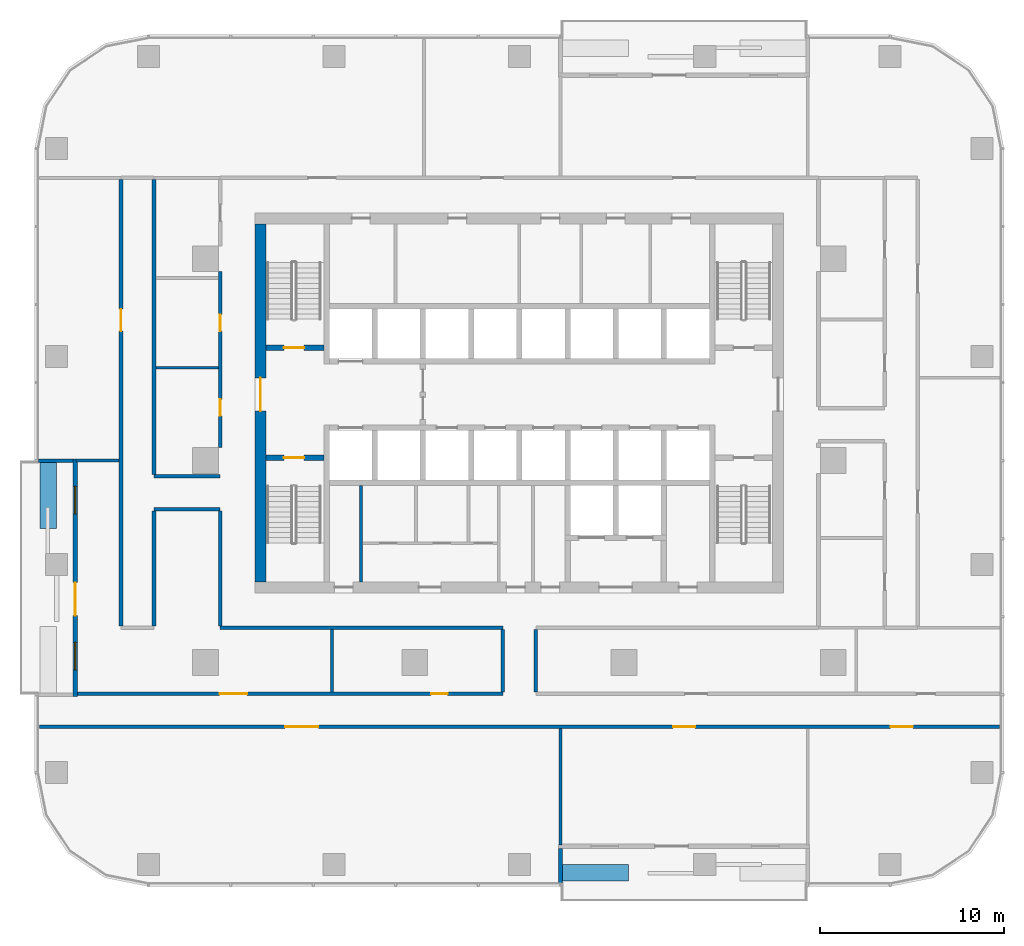
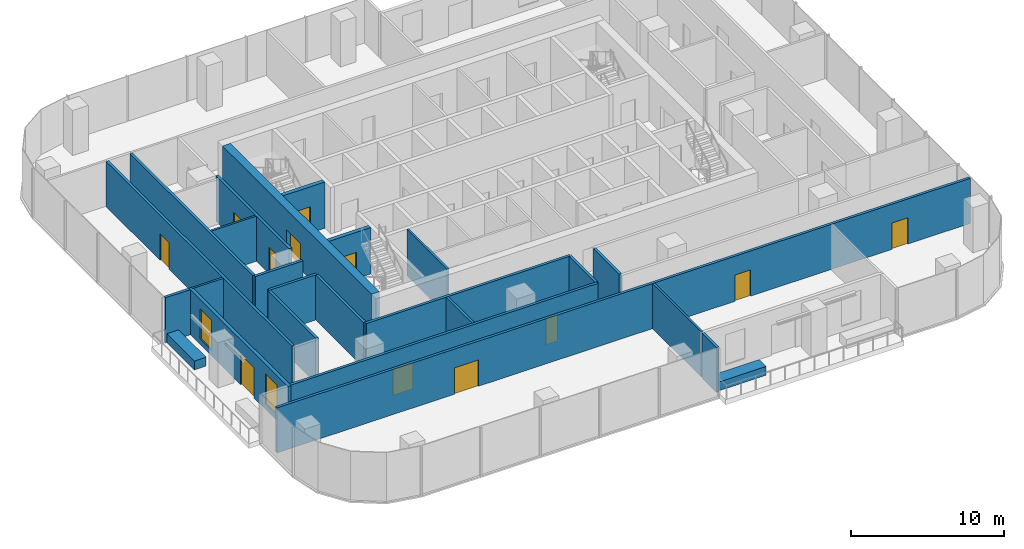
# One storey, part 7 of 14: 25 walls, 12 doors, 2 windows, 14 openings.
"""IFC4 building model written with IfcOpenShell, lengths in metres."""

from ifc_helpers import new_model, si_unit, direction, frame, frame_2d, origin, place, context, subcontext, project, spatial, rectangle, extrude, material, layer, layer_set, type_object, element, fill, save


model = new_model("IFC4")

# Units and contexts
model_context = context("Model", 3, precision=1e-05, world=origin(), true_north=direction((0.0, 1.0)))
body_context = subcontext(model_context, "Body", "Model", "MODEL_VIEW")
ifc_project = project(units=[si_unit("LENGTHUNIT", "METRE"), si_unit("AREAUNIT", "SQUARE_METRE"), si_unit("VOLUMEUNIT", "CUBIC_METRE"), si_unit("PLANEANGLEUNIT", "RADIAN"), si_unit("MASSUNIT", "GRAM", prefix="KILO")], contexts=[model_context])

# Site, building, storey
site_placement = place(None, origin())
site = spatial("IfcSite", under=ifc_project, at=site_placement, CompositionType="ELEMENT")
building_placement = place(site_placement, origin())
building = spatial("IfcBuilding", under=site, at=building_placement, Name="Mopane Tessera Tower", CompositionType="ELEMENT")
storey_placement = place(building_placement, frame((0.0, 0.0, 189.0)))
storey = spatial("IfcBuildingStorey", under=building, at=storey_placement, Name="L39", CompositionType="ELEMENT", Elevation=189.0)

# Wall
ifc_material_1 = material(Name="Fire-rated gypsum board partition")
ifc_layer_1 = layer(ifc_material_1, 0.14990234375)
ifc_layer_set_1 = layer_set([ifc_layer_1], Name="Fire-rated gypsum board partition")
wall_type_1 = type_object("IfcWallType", Name="Core room partition 150 mm", PredefinedType="PARTITIONING", material=ifc_layer_set_1)
wall_1_placement = place(storey_placement, frame((-8.625, -6.60009765625, 0.0), z_axis=(0.0, 0.0, 1.0), x_axis=(0.0, 1.0, 0.0)))
element("IfcWall", 1, at=wall_1_placement, inside=storey, type_object=wall_type_1, Name="L39 Room partition", PredefinedType="PARTITIONING", context=body_context, shape_type="SweptSolid", body=[
    extrude(rectangle(XDim=5.25, YDim=0.14990234375, at=frame_2d((2.625, 0.0))), origin(), (0.0, 0.0, 1.0), 3.699951171875),
])

# Wall, opening, door
ifc_material_2 = material(Name="Concrete C70/85", Category="concrete")
ifc_layer_2 = layer(ifc_material_2, 0.60009765625)
ifc_layer_set_2 = layer_set([ifc_layer_2], Name="Concrete C70/85")
wall_type_2 = type_object("IfcWallType", Name="Core shear wall 600 mm", PredefinedType="SHEAR", material=ifc_layer_set_2)
wall_2_placement = place(storey_placement, frame((-14.10009765625, -6.60009765625, 0.0), z_axis=(0.0, 0.0, 1.0), x_axis=(0.0, 1.0, 0.0)))
wall_2 = element("IfcWall", 2, at=wall_2_placement, inside=storey, type_object=wall_type_2, Name="L39 Core wall west", PredefinedType="SHEAR", context=body_context, shape_type="SweptSolid", body=[
    extrude(rectangle(XDim=19.5, YDim=0.60009765625, at=frame_2d((9.75, 0.0))), origin(), (0.0, 0.0, 1.0), 3.699951171875),
])
opening_1_placement = place(wall_2_placement, frame((9.300048828125, 0.0, 0.0)))
opening_1 = element("IfcOpeningElement", 3, at=opening_1_placement, cuts=wall_2, Name="Opening SD2", PredefinedType="OPENING", context=body_context, shape_type="SweptSolid", body=[
    extrude(rectangle(XDim=1.800048828125, YDim=2.10009765625, at=frame_2d((0.89990234375, 1.050048828125))), frame((0.0, 0.31201171875, 0.0), z_axis=(0.0, -1.0, 0.0), x_axis=(1.0, 0.0, 0.0)), (0.0, 0.0, 1.0), 0.6240234375),
])
ifc_material_3 = material(Name="Steel fire door", Category="steel")
door_type_1 = type_object("IfcDoorType", Name="Core entrance double door 1800 x 2100", OperationType="DOUBLE_DOOR_SINGLE_SWING", PredefinedType="DOOR", material=ifc_material_3)
door_1_placement = place(opening_1_placement, origin())
door_1 = element("IfcDoor", 4, at=door_1_placement, inside=storey, type_object=door_type_1, Name="L39 Core entrance door west", OperationType="DOUBLE_DOOR_SINGLE_SWING", OverallHeight=2.10009765625, OverallWidth=1.800048828125, PredefinedType="DOOR", context=body_context, shape_type="SweptSolid", body=[
    extrude(rectangle(XDim=1.800048828125, YDim=2.10009765625, at=frame_2d((0.89990234375, 1.050048828125))), frame((0.0, 0.02490234375, 0.0), z_axis=(0.0, -1.0, 0.0), x_axis=(1.0, 0.0, 0.0)), (0.0, 0.0, 1.0), 0.050048828125),
])
fill(opening_1, door_1)

# Wall
ifc_material_4 = material(Name="Gypsum board on staggered steel studs, double layer each face, acoustic mineral wool infill", Category="steel")
ifc_layer_3 = layer(ifc_material_4, 0.175048828125)
ifc_layer_set_3 = layer_set([ifc_layer_3], Name="Gypsum board on staggered steel studs, double layer each face, acoustic mineral wool infill")
wall_type_3 = type_object("IfcWallType", Name="Gypsum board acoustic partition 175, rated EI 60", PredefinedType="PARTITIONING", material=ifc_layer_set_3)
wall_3_placement = place(storey_placement, frame((-10.199951171875, -12.60009765625, 0.0), z_axis=(0.0, 0.0, 1.0), x_axis=(0.0, 1.0, 0.0)))
element("IfcWall", 5, at=wall_3_placement, inside=storey, type_object=wall_type_3, Name="Partition L39:031", PredefinedType="PARTITIONING", context=body_context, shape_type="SweptSolid", body=[
    extrude(rectangle(XDim=3.400146484375, YDim=0.175048828125, at=frame_2d((1.7001953125, 0.0))), origin(), (0.0, 0.0, 1.0), 3.60009765625),
])

# Wall, openings, doors
ifc_material_5 = material(Name="Gypsum board on steel studs, two layers each face, mineral wool infill", Category="steel")
ifc_layer_4 = layer(ifc_material_5, 0.199951171875)
ifc_layer_set_4 = layer_set([ifc_layer_4], Name="Gypsum board on steel studs, two layers each face, mineral wool infill")
wall_type_4 = type_object("IfcWallType", Name="Gypsum board corridor wall 200, rated EI 60", PredefinedType="PARTITIONING", material=ifc_layer_set_4)
wall_4_placement = place(storey_placement, frame((-26.14990234375, -14.5, 0.0), z_axis=(0.0, 0.0, 1.0), x_axis=(1.0, 0.0, 0.0)))
wall_4 = element("IfcWall", 6, at=wall_4_placement, inside=storey, type_object=wall_type_4, Name="Partition L39:000", PredefinedType="PARTITIONING", context=body_context, shape_type="SweptSolid", body=[
    extrude(rectangle(XDim=52.2998046875, YDim=0.199951171875, at=frame_2d((26.14990234375, 0.0))), origin(), (0.0, 0.0, 1.0), 3.60009765625),
])
opening_2_placement = place(wall_4_placement, frame((34.527587890625, 0.0, 0.0)))
opening_2 = element("IfcOpeningElement", 7, at=opening_2_placement, cuts=wall_4, Name="Opening L39-12", PredefinedType="OPENING", context=body_context, shape_type="SweptSolid", body=[
    extrude(rectangle(XDim=1.199951171875, YDim=2.10009765625, at=frame_2d((0.60009765625, 1.050048828125))), frame((0.0, 0.112060546875, 0.0), z_axis=(0.0, -1.0, 0.0), x_axis=(1.0, 0.0, 0.0)), (0.0, 0.0, 1.0), 0.223876953125),
])
opening_3_placement = place(wall_4_placement, frame((13.3974609375, 0.0, 0.0)))
opening_3 = element("IfcOpeningElement", 8, at=opening_3_placement, cuts=wall_4, Name="Opening L39-14", PredefinedType="OPENING", context=body_context, shape_type="SweptSolid", body=[
    extrude(rectangle(XDim=1.800048828125, YDim=2.10009765625, at=frame_2d((0.89990234375, 1.050048828125))), frame((0.0, 0.112060546875, 0.0), z_axis=(0.0, -1.0, 0.0), x_axis=(1.0, 0.0, 0.0)), (0.0, 0.0, 1.0), 0.223876953125),
])
opening_4_placement = place(wall_4_placement, frame((46.3798828125, 0.0, 0.0)))
opening_4 = element("IfcOpeningElement", 9, at=opening_4_placement, cuts=wall_4, Name="Opening L39-15", PredefinedType="OPENING", context=body_context, shape_type="SweptSolid", body=[
    extrude(rectangle(XDim=1.199951171875, YDim=2.10009765625, at=frame_2d((0.60009765625, 1.050048828125))), frame((0.0, 0.112060546875, 0.0), z_axis=(0.0, -1.0, 0.0), x_axis=(1.0, 0.0, 0.0)), (0.0, 0.0, 1.0), 0.223876953125),
])
ifc_material_6 = material(Name="Timber veneered steel-framed fire door", Category="steel")
door_type_2 = type_object("IfcDoorType", Name="Fire door FD60 1200 x 2100", OperationType="SINGLE_SWING_LEFT", PredefinedType="DOOR", material=ifc_material_6)
door_2_placement = place(opening_2_placement, origin())
door_2 = element("IfcDoor", 10, at=door_2_placement, inside=storey, type_object=door_type_2, Name="Door L39-12", ObjectType="D15A", OperationType="SINGLE_SWING_RIGHT", OverallHeight=2.10009765625, OverallWidth=1.199951171875, PredefinedType="DOOR", context=body_context, shape_type="SweptSolid", body=[
    extrude(rectangle(XDim=1.199951171875, YDim=2.10009765625, at=frame_2d((0.60009765625, 1.050048828125))), frame((0.0, 0.02490234375, 0.0), z_axis=(0.0, -1.0, 0.0), x_axis=(1.0, 0.0, 0.0)), (0.0, 0.0, 1.0), 0.050048828125),
])
fill(opening_2, door_2)
door_3_placement = place(opening_4_placement, origin())
door_3 = element("IfcDoor", 11, at=door_3_placement, inside=storey, type_object=door_type_2, Name="Door L39-15", ObjectType="D15A", OperationType="SINGLE_SWING_LEFT", OverallHeight=2.10009765625, OverallWidth=1.199951171875, PredefinedType="DOOR", context=body_context, shape_type="SweptSolid", body=[
    extrude(rectangle(XDim=1.199951171875, YDim=2.10009765625, at=frame_2d((0.60009765625, 1.050048828125))), frame((0.0, 0.02490234375, 0.0), z_axis=(0.0, -1.0, 0.0), x_axis=(1.0, 0.0, 0.0)), (0.0, 0.0, 1.0), 0.050048828125),
])
fill(opening_4, door_3)
ifc_material_7 = material(Name="Timber veneered steel-framed fire door", Category="steel")
door_type_3 = type_object("IfcDoorType", Name="Fire door pair FD60 1800 x 2100", OperationType="DOUBLE_DOOR_SINGLE_SWING", PredefinedType="DOOR", material=ifc_material_7)
door_4_placement = place(opening_3_placement, origin())
door_4 = element("IfcDoor", 12, at=door_4_placement, inside=storey, type_object=door_type_3, Name="Door L39-14", ObjectType="D20A", OperationType="DOUBLE_DOOR_SINGLE_SWING", OverallHeight=2.10009765625, OverallWidth=1.800048828125, PredefinedType="DOOR", context=body_context, shape_type="SweptSolid", body=[
    extrude(rectangle(XDim=1.800048828125, YDim=2.10009765625, at=frame_2d((0.89990234375, 1.050048828125))), frame((0.0, 0.02490234375, 0.0), z_axis=(0.0, -1.0, 0.0), x_axis=(1.0, 0.0, 0.0)), (0.0, 0.0, 1.0), 0.050048828125),
])
fill(opening_3, door_4)

wall_5_placement = place(storey_placement, frame((-24.14990234375, -12.699951171875, 0.0), z_axis=(0.0, 0.0, 1.0), x_axis=(1.0, 0.0, 0.0)))
wall_5 = element("IfcWall", 13, at=wall_5_placement, inside=storey, type_object=wall_type_4, Name="Partition L39:001", PredefinedType="PARTITIONING", context=body_context, shape_type="SweptSolid", body=[
    extrude(rectangle(XDim=23.25, YDim=0.199951171875, at=frame_2d((11.625, 0.0))), origin(), (0.0, 0.0, 1.0), 3.60009765625),
])
opening_5_placement = place(wall_5_placement, frame((19.35009765625, 0.0, 0.0)))
opening_5 = element("IfcOpeningElement", 14, at=opening_5_placement, cuts=wall_5, Name="Opening L39-03", PredefinedType="OPENING", context=body_context, shape_type="SweptSolid", body=[
    extrude(rectangle(XDim=0.89990234375, YDim=2.10009765625, at=frame_2d((0.449951171875, 1.050048828125))), frame((0.0, 0.112060546875, 0.0), z_axis=(0.0, -1.0, 0.0), x_axis=(1.0, 0.0, 0.0)), (0.0, 0.0, 1.0), 0.223876953125),
])
opening_6_placement = place(wall_5_placement, frame((7.824951171875, 0.0, 0.0)))
opening_6 = element("IfcOpeningElement", 15, at=opening_6_placement, cuts=wall_5, Name="Opening L39-11", PredefinedType="OPENING", context=body_context, shape_type="SweptSolid", body=[
    extrude(rectangle(XDim=1.5, YDim=2.10009765625, at=frame_2d((0.75, 1.050048828125))), frame((0.0, 0.112060546875, 0.0), z_axis=(0.0, -1.0, 0.0), x_axis=(1.0, 0.0, 0.0)), (0.0, 0.0, 1.0), 0.223876953125),
])
ifc_material_8 = material(Name="Timber veneered steel-framed fire door", Category="steel")
door_type_4 = type_object("IfcDoorType", Name="Fire door FD60 900 x 2100", OperationType="SINGLE_SWING_LEFT", PredefinedType="DOOR", material=ifc_material_8)
door_5_placement = place(opening_5_placement, origin())
door_5 = element("IfcDoor", 16, at=door_5_placement, inside=storey, type_object=door_type_4, Name="Door L39-03", ObjectType="D10A", OperationType="SINGLE_SWING_RIGHT", OverallHeight=2.10009765625, OverallWidth=0.89990234375, PredefinedType="DOOR", context=body_context, shape_type="SweptSolid", body=[
    extrude(rectangle(XDim=0.89990234375, YDim=2.10009765625, at=frame_2d((0.449951171875, 1.050048828125))), frame((0.0, 0.02490234375, 0.0), z_axis=(0.0, -1.0, 0.0), x_axis=(1.0, 0.0, 0.0)), (0.0, 0.0, 1.0), 0.050048828125),
])
fill(opening_5, door_5)
ifc_material_9 = material(Name="Timber veneered steel-framed fire door", Category="steel")
door_type_5 = type_object("IfcDoorType", Name="Fire door pair FD60 1500 x 2100", OperationType="DOUBLE_DOOR_SINGLE_SWING", PredefinedType="DOOR", material=ifc_material_9)
door_6_placement = place(opening_6_placement, origin())
door_6 = element("IfcDoor", 17, at=door_6_placement, inside=storey, type_object=door_type_5, Name="Door L39-11", ObjectType="D17A", OperationType="DOUBLE_DOOR_SINGLE_SWING", OverallHeight=2.10009765625, OverallWidth=1.5, PredefinedType="DOOR", context=body_context, shape_type="SweptSolid", body=[
    extrude(rectangle(XDim=1.5, YDim=2.10009765625, at=frame_2d((0.75, 1.050048828125))), frame((0.0, 0.02490234375, 0.0), z_axis=(0.0, -1.0, 0.0), x_axis=(1.0, 0.0, 0.0)), (0.0, 0.0, 1.0), 0.050048828125),
])
fill(opening_6, door_6)

# Walls
wall_6_placement = place(storey_placement, frame((-16.300048828125, -9.10009765625, 0.0), z_axis=(0.0, 0.0, 1.0), x_axis=(1.0, 0.0, 0.0)))
element("IfcWall", 18, at=wall_6_placement, inside=storey, type_object=wall_type_4, Name="Partition L39:006", PredefinedType="PARTITIONING", context=body_context, shape_type="SweptSolid", body=[
    extrude(rectangle(XDim=15.400146484375, YDim=0.199951171875, at=frame_2d((7.7001953125, 0.0))), origin(), (0.0, 0.0, 1.0), 3.60009765625),
])
for number, where, z_axis, x_axis, name in (
    (19, (-19.89990234375, -2.64990234375, 0.0), (0.0, 0.0, 1.0), (1.0, 0.0, 0.0), "Partition L39:010"),
    (20, (-19.89990234375, -0.85009765625, 0.0), (0.0, 0.0, 1.0), (1.0, 0.0, 0.0), "Partition L39:011"),
):
    element("IfcWall", number, at=place(storey_placement, frame(where, z_axis=z_axis, x_axis=x_axis)), inside=storey, type_object=wall_type_4, Name=name, PredefinedType="PARTITIONING", context=body_context, shape_type="SweptSolid", body=[
        extrude(rectangle(XDim=3.599853515625, YDim=0.199951171875, at=frame_2d((1.7998046875, 0.0))), origin(), (0.0, 0.0, 1.0), 3.60009765625),
    ])

# Wall, opening, door
wall_7_placement = place(storey_placement, frame((-21.699951171875, -9.0, 0.0), z_axis=(0.0, 0.0, 1.0), x_axis=(0.0, 1.0, 0.0)))
wall_7 = element("IfcWall", 21, at=wall_7_placement, inside=storey, type_object=wall_type_4, Name="Partition L39:025", PredefinedType="PARTITIONING", context=body_context, shape_type="SweptSolid", body=[
    extrude(rectangle(XDim=24.300048828125, YDim=0.199951171875, at=frame_2d((12.14990234375, 0.0))), origin(), (0.0, 0.0, 1.0), 3.60009765625),
])
opening_7_placement = place(wall_7_placement, frame((16.050048828125, 0.0, 0.0)))
opening_7 = element("IfcOpeningElement", 22, at=opening_7_placement, cuts=wall_7, Name="Opening L39-01", PredefinedType="OPENING", context=body_context, shape_type="SweptSolid", body=[
    extrude(rectangle(XDim=1.199951171875, YDim=2.10009765625, at=frame_2d((0.60009765625, 1.050048828125))), frame((0.0, 0.112060546875, 0.0), z_axis=(0.0, -1.0, 0.0), x_axis=(1.0, 0.0, 0.0)), (0.0, 0.0, 1.0), 0.223876953125),
])
door_7_placement = place(opening_7_placement, origin())
door_7 = element("IfcDoor", 23, at=door_7_placement, inside=storey, type_object=door_type_2, Name="Door L39-01", ObjectType="D15A", OperationType="SINGLE_SWING_RIGHT", OverallHeight=2.10009765625, OverallWidth=1.199951171875, PredefinedType="DOOR", context=body_context, shape_type="SweptSolid", body=[
    extrude(rectangle(XDim=1.199951171875, YDim=2.10009765625, at=frame_2d((0.60009765625, 1.050048828125))), frame((0.0, 0.02490234375, 0.0), z_axis=(0.0, -1.0, 0.0), x_axis=(1.0, 0.0, 0.0)), (0.0, 0.0, 1.0), 0.050048828125),
])
fill(opening_7, door_7)

# Walls
wall_8_placement = place(storey_placement, frame((-19.89990234375, -9.0, 0.0), z_axis=(0.0, 0.0, 1.0), x_axis=(0.0, 1.0, 0.0)))
element("IfcWall", 24, at=wall_8_placement, inside=storey, type_object=wall_type_4, Name="Partition L39:026", PredefinedType="PARTITIONING", context=body_context, shape_type="SweptSolid", body=[
    extrude(rectangle(XDim=6.25, YDim=0.199951171875, at=frame_2d((3.125, 0.0))), origin(), (0.0, 0.0, 1.0), 3.60009765625),
])
wall_9_placement = place(storey_placement, frame((-19.89990234375, -0.75, 0.0), z_axis=(0.0, 0.0, 1.0), x_axis=(0.0, 1.0, 0.0)))
element("IfcWall", 25, at=wall_9_placement, inside=storey, type_object=wall_type_4, Name="Partition L39:027", PredefinedType="PARTITIONING", context=body_context, shape_type="SweptSolid", body=[
    extrude(rectangle(XDim=16.050048828125, YDim=0.199951171875, at=frame_2d((8.02490234375, 0.0))), origin(), (0.0, 0.0, 1.0), 3.60009765625),
])
wall_10_placement = place(storey_placement, frame((-16.300048828125, -9.0, 0.0), z_axis=(0.0, 0.0, 1.0), x_axis=(0.0, 1.0, 0.0)))
element("IfcWall", 26, at=wall_10_placement, inside=storey, type_object=wall_type_4, Name="Partition L39:028", PredefinedType="PARTITIONING", context=body_context, shape_type="SweptSolid", body=[
    extrude(rectangle(XDim=6.25, YDim=0.199951171875, at=frame_2d((3.125, 0.0))), origin(), (0.0, 0.0, 1.0), 3.60009765625),
])

# Wall, openings, doors
wall_11_placement = place(storey_placement, frame((-16.300048828125, 0.699951171875, 0.0), z_axis=(0.0, 0.0, 1.0), x_axis=(0.0, 1.0, 0.0)))
wall_11 = element("IfcWall", 27, at=wall_11_placement, inside=storey, type_object=wall_type_4, Name="Partition L39:029", PredefinedType="PARTITIONING", context=body_context, shape_type="SweptSolid", body=[
    extrude(rectangle(XDim=9.60009765625, YDim=0.199951171875, at=frame_2d((4.800048828125, 0.0))), origin(), (0.0, 0.0, 1.0), 3.60009765625),
])
opening_8_placement = place(wall_11_placement, frame((1.72998046875, 0.0, 0.0)))
opening_8 = element("IfcOpeningElement", 28, at=opening_8_placement, cuts=wall_11, Name="Opening L39-04", PredefinedType="OPENING", context=body_context, shape_type="SweptSolid", body=[
    extrude(rectangle(XDim=0.89990234375, YDim=2.10009765625, at=frame_2d((0.449951171875, 1.050048828125))), frame((0.0, 0.112060546875, 0.0), z_axis=(0.0, -1.0, 0.0), x_axis=(1.0, 0.0, 0.0)), (0.0, 0.0, 1.0), 0.223876953125),
])
opening_9_placement = place(wall_11_placement, frame((6.3525390625, 0.0, 0.0)))
opening_9 = element("IfcOpeningElement", 29, at=opening_9_placement, cuts=wall_11, Name="Opening L39-08", PredefinedType="OPENING", context=body_context, shape_type="SweptSolid", body=[
    extrude(rectangle(XDim=0.89990234375, YDim=2.10009765625, at=frame_2d((0.449951171875, 1.050048828125))), frame((0.0, 0.112060546875, 0.0), z_axis=(0.0, -1.0, 0.0), x_axis=(1.0, 0.0, 0.0)), (0.0, 0.0, 1.0), 0.223876953125),
])
door_8_placement = place(opening_8_placement, origin())
door_8 = element("IfcDoor", 30, at=door_8_placement, inside=storey, type_object=door_type_4, Name="Door L39-04", ObjectType="D10A", OperationType="SINGLE_SWING_LEFT", OverallHeight=2.10009765625, OverallWidth=0.89990234375, PredefinedType="DOOR", context=body_context, shape_type="SweptSolid", body=[
    extrude(rectangle(XDim=0.89990234375, YDim=2.10009765625, at=frame_2d((0.449951171875, 1.050048828125))), frame((0.0, 0.02490234375, 0.0), z_axis=(0.0, -1.0, 0.0), x_axis=(1.0, 0.0, 0.0)), (0.0, 0.0, 1.0), 0.050048828125),
])
fill(opening_8, door_8)
door_9_placement = place(opening_9_placement, origin())
door_9 = element("IfcDoor", 31, at=door_9_placement, inside=storey, type_object=door_type_4, Name="Door L39-08", ObjectType="D10A", OperationType="SINGLE_SWING_LEFT", OverallHeight=2.10009765625, OverallWidth=0.89990234375, PredefinedType="DOOR", context=body_context, shape_type="SweptSolid", body=[
    extrude(rectangle(XDim=0.89990234375, YDim=2.10009765625, at=frame_2d((0.449951171875, 1.050048828125))), frame((0.0, 0.02490234375, 0.0), z_axis=(0.0, -1.0, 0.0), x_axis=(1.0, 0.0, 0.0)), (0.0, 0.0, 1.0), 0.050048828125),
])
fill(opening_9, door_9)

# Walls
for number, where, z_axis, x_axis, name in (
    (32, (-0.89990234375, -12.60009765625, 0.0), (0.0, 0.0, 1.0), (0.0, 1.0, 0.0), "Partition L39:033"),
    (33, (0.89990234375, -12.60009765625, 0.0), (0.0, 0.0, 1.0), (0.0, 1.0, 0.0), "Partition L39:034"),
):
    element("IfcWall", number, at=place(storey_placement, frame(where, z_axis=z_axis, x_axis=x_axis)), inside=storey, type_object=wall_type_4, Name=name, PredefinedType="PARTITIONING", context=body_context, shape_type="SweptSolid", body=[
        extrude(rectangle(XDim=3.400146484375, YDim=0.199951171875, at=frame_2d((1.7001953125, 0.0))), origin(), (0.0, 0.0, 1.0), 3.60009765625),
    ])
ifc_material_10 = material(Name="Gypsum board on steel studs, mineral wool infill", Category="steel")
ifc_layer_5 = layer(ifc_material_10, 0.14990234375)
ifc_layer_set_5 = layer_set([ifc_layer_5], Name="Gypsum board on steel studs, mineral wool infill")
wall_type_5 = type_object("IfcWallType", Name="Gypsum board partition 150, rated EI 60", PredefinedType="PARTITIONING", material=ifc_layer_set_5)
wall_12_placement = place(storey_placement, frame((-24.14990234375, 0.0, 0.0), z_axis=(0.0, 0.0, 1.0), x_axis=(1.0, 0.0, 0.0)))
element("IfcWall", 34, at=wall_12_placement, inside=storey, type_object=wall_type_5, Name="Partition L39:012", PredefinedType="PARTITIONING", context=body_context, shape_type="SweptSolid", body=[
    extrude(rectangle(XDim=2.349853515625, YDim=0.14990234375, at=frame_2d((1.1748046875, 0.0))), origin(), (0.0, 0.0, 1.0), 3.60009765625),
])
wall_13_placement = place(storey_placement, frame((-19.800048828125, 5.06005859375, 0.0), z_axis=(0.0, 0.0, 1.0), x_axis=(1.0, 0.0, 0.0)))
element("IfcWall", 35, at=wall_13_placement, inside=storey, type_object=wall_type_5, Name="Partition L39:016", PredefinedType="PARTITIONING", context=body_context, shape_type="SweptSolid", body=[
    extrude(rectangle(XDim=3.400146484375, YDim=0.14990234375, at=frame_2d((1.7001953125, 0.0))), origin(), (0.0, 0.0, 1.0), 3.60009765625),
])
wall_14_placement = place(storey_placement, frame((2.2451171875, -20.949951171875, 0.0), z_axis=(0.0, 0.0, 1.0), x_axis=(0.0, 1.0, 0.0)))
element("IfcWall", 36, at=wall_14_placement, inside=storey, type_object=wall_type_5, Name="Partition L39:035", PredefinedType="PARTITIONING", context=body_context, shape_type="SweptSolid", body=[
    extrude(rectangle(XDim=6.349853515625, YDim=0.14990234375, at=frame_2d((3.1748046875, 0.0))), origin(), (0.0, 0.0, 1.0), 3.60009765625),
])

# Wall, opening, door
ifc_material_11 = material(Name="Concrete C50/60", Category="concrete")
ifc_layer_6 = layer(ifc_material_11, 0.300048828125)
ifc_layer_set_6 = layer_set([ifc_layer_6], Name="Concrete C50/60")
wall_type_6 = type_object("IfcWallType", Name="Lift and stair shaft wall 300 mm", PredefinedType="SOLIDWALL", material=ifc_layer_set_6)
wall_15_placement = place(storey_placement, frame((-13.800048828125, 0.14990234375, 0.0), z_axis=(0.0, 0.0, 1.0), x_axis=(1.0, 0.0, 0.0)))
wall_15 = element("IfcWall", 37, at=wall_15_placement, inside=storey, type_object=wall_type_6, Name="L39 Stair enclosure wall", PredefinedType="SOLIDWALL", context=body_context, shape_type="SweptSolid", body=[
    extrude(rectangle(XDim=3.150146484375, YDim=0.300048828125, at=frame_2d((1.5751953125, 0.0))), origin(), (0.0, 0.0, 1.0), 3.699951171875),
])
opening_10_placement = place(wall_15_placement, frame((0.97509765625, 0.0, 0.0)))
opening_10 = element("IfcOpeningElement", 38, at=opening_10_placement, cuts=wall_15, Name="Opening SD1", PredefinedType="OPENING", context=body_context, shape_type="SweptSolid", body=[
    extrude(rectangle(XDim=1.10009765625, YDim=2.10009765625, at=frame_2d((0.550048828125, 1.050048828125))), frame((0.0, 0.162109375, 0.0), z_axis=(0.0, -1.0, 0.0), x_axis=(1.0, 0.0, 0.0)), (0.0, 0.0, 1.0), 0.323974609375),
])
ifc_material_12 = material(Name="Steel fire door", Category="steel")
door_type_6 = type_object("IfcDoorType", Name="Stair fire door 1100 x 2100", OperationType="SINGLE_SWING_LEFT", PredefinedType="DOOR", material=ifc_material_12)
door_10_placement = place(opening_10_placement, origin())
door_10 = element("IfcDoor", 39, at=door_10_placement, inside=storey, type_object=door_type_6, Name="L39 Stair door ST1", OperationType="SINGLE_SWING_LEFT", OverallHeight=2.10009765625, OverallWidth=1.10009765625, PredefinedType="DOOR", context=body_context, shape_type="SweptSolid", body=[
    extrude(rectangle(XDim=1.10009765625, YDim=2.10009765625, at=frame_2d((0.550048828125, 1.050048828125))), frame((0.0, 0.02490234375, 0.0), z_axis=(0.0, -1.0, 0.0), x_axis=(1.0, 0.0, 0.0)), (0.0, 0.0, 1.0), 0.050048828125),
])
fill(opening_10, door_10)

wall_16_placement = place(storey_placement, frame((-13.800048828125, 6.14990234375, 0.0), z_axis=(0.0, 0.0, 1.0), x_axis=(1.0, 0.0, 0.0)))
wall_16 = element("IfcWall", 40, at=wall_16_placement, inside=storey, type_object=wall_type_6, Name="L39 Stair enclosure wall", PredefinedType="SOLIDWALL", context=body_context, shape_type="SweptSolid", body=[
    extrude(rectangle(XDim=3.150146484375, YDim=0.300048828125, at=frame_2d((1.5751953125, 0.0))), origin(), (0.0, 0.0, 1.0), 3.699951171875),
])
opening_11_placement = place(wall_16_placement, frame((0.97509765625, 0.0, 0.0)))
opening_11 = element("IfcOpeningElement", 41, at=opening_11_placement, cuts=wall_16, Name="Opening SD1", PredefinedType="OPENING", context=body_context, shape_type="SweptSolid", body=[
    extrude(rectangle(XDim=1.10009765625, YDim=2.10009765625, at=frame_2d((0.550048828125, 1.050048828125))), frame((0.0, 0.162109375, 0.0), z_axis=(0.0, -1.0, 0.0), x_axis=(1.0, 0.0, 0.0)), (0.0, 0.0, 1.0), 0.323974609375),
])
door_11_placement = place(opening_11_placement, origin())
door_11 = element("IfcDoor", 42, at=door_11_placement, inside=storey, type_object=door_type_6, Name="L39 Stair door ST2", OperationType="SINGLE_SWING_LEFT", OverallHeight=2.10009765625, OverallWidth=1.10009765625, PredefinedType="DOOR", context=body_context, shape_type="SweptSolid", body=[
    extrude(rectangle(XDim=1.10009765625, YDim=2.10009765625, at=frame_2d((0.550048828125, 1.050048828125))), frame((0.0, 0.02490234375, 0.0), z_axis=(0.0, -1.0, 0.0), x_axis=(1.0, 0.0, 0.0)), (0.0, 0.0, 1.0), 0.050048828125),
])
fill(opening_11, door_11)

# Walls
ifc_material_13 = material(Name="Reinforced concrete C32/40 with waterproofing", Category="concrete")
ifc_layer_7 = layer(ifc_material_13, 0.89990234375)
ifc_layer_set_7 = layer_set([ifc_layer_7], Name="Reinforced concrete C32/40 with waterproofing")
wall_type_7 = type_object("IfcWallType", Name="Planter trough 3600 x 900", PredefinedType="STANDARD", material=ifc_layer_set_7)
for number, where, z_axis, x_axis, name in (
    (43, (-25.64990234375, -0.10009765625, 0.0), (0.0, 0.0, 1.0), (0.0, -1.0, 0.0), "e:nw:L39:N1:pl0"),
    (44, (2.344482421875, -22.449951171875, 0.0), (0.0, 0.0, 1.0), (1.0, 0.0, 0.0), "e:nw:L39:N2:pl0"),
):
    element("IfcWall", number, at=place(storey_placement, frame(where, z_axis=z_axis, x_axis=x_axis)), inside=storey, type_object=wall_type_7, Name=name, PredefinedType="STANDARD", context=body_context, shape_type="SweptSolid", body=[
        extrude(rectangle(XDim=3.599853515625, YDim=0.89990234375, at=frame_2d((1.7998046875, 0.0))), origin(), (0.0, 0.0, 1.0), 0.699951171875),
    ])
ifc_material_14 = material(Name="Blockwork with glazed tile facing", Category="masonry")
ifc_layer_8 = layer(ifc_material_14, 0.199951171875)
ifc_layer_set_8 = layer_set([ifc_layer_8], Name="Blockwork with glazed tile facing")
wall_type_8 = type_object("IfcWallType", Name="Terrace cheek wall 200", PredefinedType="STANDARD", material=ifc_layer_set_8)
for number, where, z_axis, x_axis, name in (
    (45, (-26.199951171875, 0.0, 0.0), (0.0, 0.0, 1.0), (1.0, 0.0, 0.0), "e:nw:L39:N1:cheeka"),
    (46, (2.244384765625, -23.0, 0.0), (0.0, 0.0, 1.0), (0.0, 1.0, 0.0), "e:nw:L39:N2:cheeka"),
):
    element("IfcWall", number, at=place(storey_placement, frame(where, z_axis=z_axis, x_axis=x_axis)), inside=storey, type_object=wall_type_8, Name=name, PredefinedType="STANDARD", context=body_context, shape_type="SweptSolid", body=[
        extrude(rectangle(XDim=1.875, YDim=0.199951171875, at=frame_2d((0.9375, 0.0))), origin(), (0.0, 0.0, 1.0), 3.60009765625),
    ])

# Wall, openings, windows, door
ifc_material_15 = material(Name="Blockwork with turquoise glazed tile facing", Category="masonry")
ifc_layer_9 = layer(ifc_material_15, 0.25)
ifc_layer_set_9 = layer_set([ifc_layer_9], Name="Blockwork with turquoise glazed tile facing")
wall_type_9 = type_object("IfcWallType", Name="Tile-clad external wall 250, turquoise", PredefinedType="STANDARD", material=ifc_layer_set_9)
wall_17_placement = place(storey_placement, frame((-24.199951171875, 0.10009765625, 0.0), z_axis=(0.0, 0.0, 1.0), x_axis=(0.0, -1.0, 0.0)))
wall_17 = element("IfcWall", 47, at=wall_17_placement, inside=storey, type_object=wall_type_9, Name="e:nw:L39:N1:back", PredefinedType="STANDARD", context=body_context, shape_type="SweptSolid", body=[
    extrude(rectangle(XDim=12.9501953125, YDim=0.25, at=frame_2d((6.47509765625, 0.0))), origin(), (0.0, 0.0, 1.0), 3.60009765625),
])
opening_12_placement = place(wall_17_placement, frame((1.5, 0.0, 0.449951171875)))
opening_12 = element("IfcOpeningElement", 48, at=opening_12_placement, cuts=wall_17, Name="Opening NW391A", PredefinedType="OPENING", context=body_context, shape_type="SweptSolid", body=[
    extrude(rectangle(XDim=1.5, YDim=2.39990234375, at=frame_2d((0.75, 1.199951171875))), frame((0.0, 0.136962890625, 0.0), z_axis=(0.0, -1.0, 0.0), x_axis=(1.0, 0.0, 0.0)), (0.0, 0.0, 1.0), 0.27392578125),
])
opening_13_placement = place(wall_17_placement, frame((6.75, 0.0, 0.0)))
opening_13 = element("IfcOpeningElement", 49, at=opening_13_placement, cuts=wall_17, Name="Opening ND391", PredefinedType="OPENING", context=body_context, shape_type="SweptSolid", body=[
    extrude(rectangle(XDim=1.800048828125, YDim=2.39990234375, at=frame_2d((0.89990234375, 1.199951171875))), frame((0.0, 0.136962890625, 0.0), z_axis=(0.0, -1.0, 0.0), x_axis=(1.0, 0.0, 0.0)), (0.0, 0.0, 1.0), 0.27392578125),
])
opening_14_placement = place(wall_17_placement, frame((10.0, 0.0, 0.449951171875)))
opening_14 = element("IfcOpeningElement", 50, at=opening_14_placement, cuts=wall_17, Name="Opening NW391B", PredefinedType="OPENING", context=body_context, shape_type="SweptSolid", body=[
    extrude(rectangle(XDim=1.5, YDim=2.39990234375, at=frame_2d((0.75, 1.199951171875))), frame((0.0, 0.136962890625, 0.0), z_axis=(0.0, -1.0, 0.0), x_axis=(1.0, 0.0, 0.0)), (0.0, 0.0, 1.0), 0.27392578125),
])
ifc_material_16 = material(Name="Clear laminated glass", Category="glass")
window_type = type_object("IfcWindowType", Name="Fixed window 1500 x 2400", PartitioningType="SINGLE_PANEL", PredefinedType="WINDOW", material=ifc_material_16)
window_1_placement = place(opening_12_placement, origin())
window_1 = element("IfcWindow", 51, at=window_1_placement, inside=storey, type_object=window_type, Name="e:nw:L39:N1:win0", OverallHeight=2.39990234375, OverallWidth=1.5, PartitioningType="SINGLE_PANEL", PredefinedType="WINDOW", context=body_context, shape_type="SweptSolid", body=[
    extrude(rectangle(XDim=1.5, YDim=2.39990234375, at=frame_2d((0.75, 1.199951171875))), frame((0.0, 0.030029296875, 0.0), z_axis=(0.0, -1.0, 0.0), x_axis=(1.0, 0.0, 0.0)), (0.0, 0.0, 1.0), 0.06005859375),
])
fill(opening_12, window_1)
window_2_placement = place(opening_14_placement, origin())
window_2 = element("IfcWindow", 52, at=window_2_placement, inside=storey, type_object=window_type, Name="e:nw:L39:N1:win2", OverallHeight=2.39990234375, OverallWidth=1.5, PartitioningType="SINGLE_PANEL", PredefinedType="WINDOW", context=body_context, shape_type="SweptSolid", body=[
    extrude(rectangle(XDim=1.5, YDim=2.39990234375, at=frame_2d((0.75, 1.199951171875))), frame((0.0, 0.030029296875, 0.0), z_axis=(0.0, -1.0, 0.0), x_axis=(1.0, 0.0, 0.0)), (0.0, 0.0, 1.0), 0.06005859375),
])
fill(opening_14, window_2)
ifc_material_17 = material(Name="Aluminium and clear glass", Category="aluminium")
door_type_7 = type_object("IfcDoorType", Name="Terrace double door 1800 x 2400", OperationType="DOUBLE_DOOR_SINGLE_SWING", PredefinedType="DOOR", material=ifc_material_17)
door_12_placement = place(opening_13_placement, origin())
door_12 = element("IfcDoor", 53, at=door_12_placement, inside=storey, type_object=door_type_7, Name="e:nw:L39:N1:door", ObjectType="D1", OperationType="DOUBLE_DOOR_SINGLE_SWING", OverallHeight=2.39990234375, OverallWidth=1.800048828125, PredefinedType="DOOR", context=body_context, shape_type="SweptSolid", body=[
    extrude(rectangle(XDim=1.800048828125, YDim=2.39990234375, at=frame_2d((0.89990234375, 1.199951171875))), frame((0.0, 0.02490234375, 0.0), z_axis=(0.0, -1.0, 0.0), x_axis=(1.0, 0.0, 0.0)), (0.0, 0.0, 1.0), 0.050048828125),
])
fill(opening_13, door_12)

save(model, "model.ifc")
